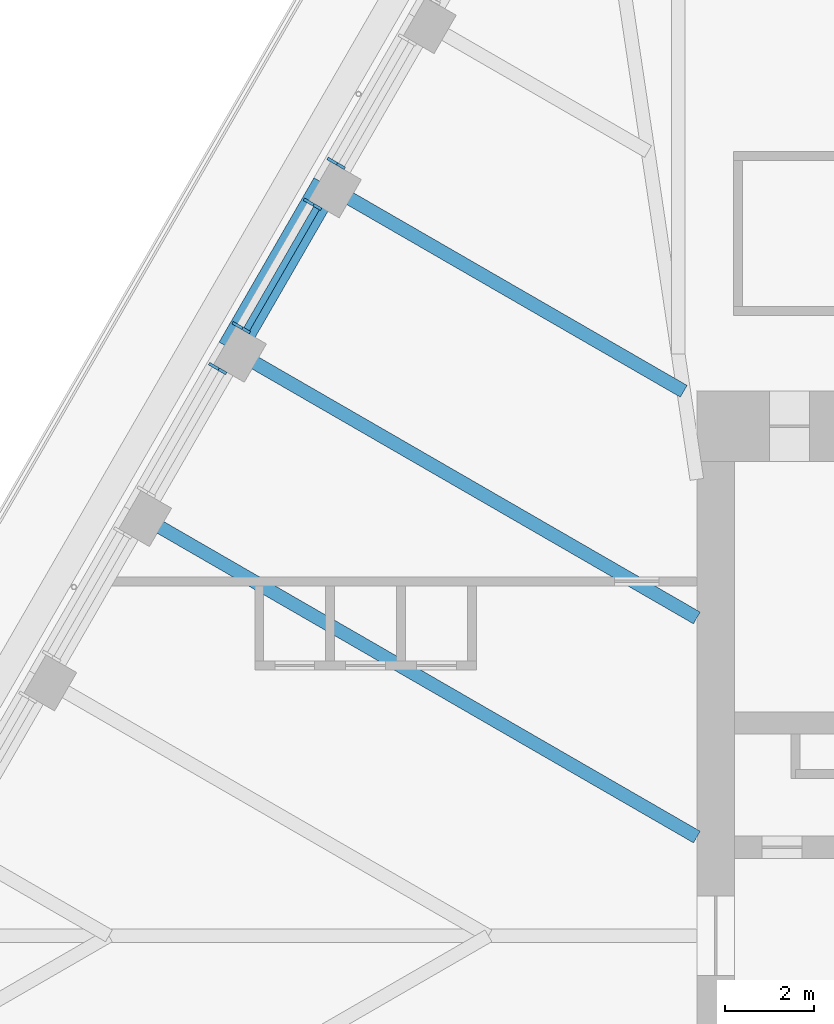
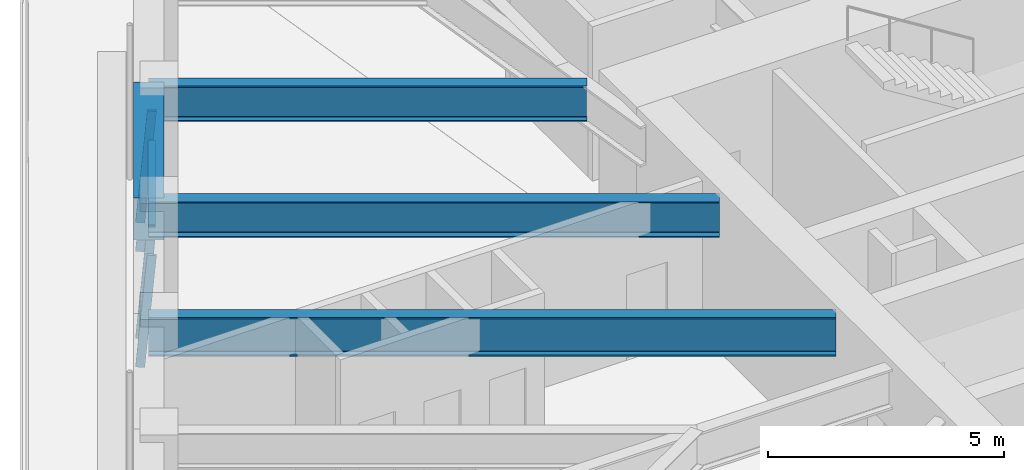
# One storey, part 7 of 19: 5 members, 4 beams, 3 elements without a shape of their own.
"""IFC4 building model written with IfcOpenShell, lengths in metres."""

from ifc_helpers import new_model, si_unit, direction, frame, origin, origin_2d, place, context, subcontext, project, spatial, rectangle, i_section, extrude, material, material_profile, profile_set, type_object, element, aggregate, save


model = new_model("IFC4")

# Units and contexts
model_context = context("Model", 3, precision=1e-05, world=origin(), true_north=direction((0.0, 1.0)))
body_context = subcontext(model_context, "Body", "Model", "MODEL_VIEW")
ifc_project = project(units=[si_unit("LENGTHUNIT", "METRE"), si_unit("AREAUNIT", "SQUARE_METRE"), si_unit("VOLUMEUNIT", "CUBIC_METRE"), si_unit("PLANEANGLEUNIT", "RADIAN"), si_unit("MASSUNIT", "GRAM", prefix="KILO")], contexts=[model_context])

# Site, building, storey
site_placement = place(None, origin())
site = spatial("IfcSite", under=ifc_project, at=site_placement, CompositionType="ELEMENT")
building_placement = place(site_placement, origin())
building = spatial("IfcBuilding", under=site, at=building_placement, Name="Tarfa Lantern Tower", CompositionType="ELEMENT")
storey_placement = place(building_placement, frame((0.0, 0.0, 349.300048828125)))
storey = spatial("IfcBuildingStorey", under=building, at=storey_placement, Name="L79", CompositionType="ELEMENT", Elevation=349.300048828125)

# Curtain wall, member
ifc_material_1 = material(Name="Aluminium framed curtain wall", Category="aluminium")
curtain_wall_type = type_object("IfcCurtainWallType", Name="CW4 CANTED GLAZING EXECUTIVE ZONE 2900", PredefinedType="USERDEFINED", material=ifc_material_1)
curtain_wall_1_placement = place(storey_placement, origin())
curtain_wall_1 = element("IfcCurtainWall", 1, at=curtain_wall_1_placement, inside=storey, type_object=curtain_wall_type, Name="CW4 NW L79", ObjectType="CURTAIN WALL", PredefinedType="USERDEFINED")
ifc_material_2 = material(Name="Aluminium mullion", Category="aluminium")
ifc_material_profile_1 = material_profile(ifc_material_2, rectangle(XDim=0.06494140625, YDim=0.199951171875, at=origin_2d()), Name="AL MULLION 65x200")
ifc_profile_set_1 = profile_set([ifc_material_profile_1], Name="Aluminium mullion")
member_type_1 = type_object("IfcMemberType", Name="CWM1 MULLION 65x200", PredefinedType="MULLION", material=ifc_profile_set_1)
member_1_placement = place(storey_placement, frame((-20.67236328125, 17.494384765625, 0.0), z_axis=(0.074399820079, -0.042945555672, 0.996303340364), x_axis=(0.499919672301, 0.866071776036, 0.0)))
member_1 = element("IfcMember", 2, at=member_1_placement, type_object=member_type_1, Name="CW4 mullion 2", PredefinedType="MULLION", context=body_context, shape_type="SweptSolid", body=[
    extrude(rectangle(XDim=0.06494140625, YDim=0.199951171875, at=origin_2d()), origin(), (0.0, 0.0, 1.0), 2.91064453125),
])
aggregate(curtain_wall_1, [member_1])

# Curtain wall, members
curtain_wall_2_placement = place(storey_placement, origin())
curtain_wall_2 = element("IfcCurtainWall", 3, at=curtain_wall_2_placement, inside=storey, type_object=curtain_wall_type, Name="CW4 NW L79", ObjectType="CURTAIN WALL", PredefinedType="USERDEFINED")
member_2_placement = place(storey_placement, frame((-21.204833984375, 16.572265625, 0.0), z_axis=(0.074399820079, -0.042945555672, 0.996303340364), x_axis=(0.499919672301, 0.866071776036, 0.0)))
member_2 = element("IfcMember", 4, at=member_2_placement, type_object=member_type_1, Name="CW4 mullion 1", PredefinedType="MULLION", context=body_context, shape_type="SweptSolid", body=[
    extrude(rectangle(XDim=0.06494140625, YDim=0.199951171875, at=origin_2d()), origin(), (0.0, 0.0, 1.0), 2.91064453125),
])
member_3_placement = place(storey_placement, frame((-22.813232421875, 13.7861328125, 0.0), z_axis=(0.074316405553, -0.042945823525, 0.996309554359), x_axis=(0.500342721131, 0.865827443207, 0.0)))
member_3 = element("IfcMember", 5, at=member_3_placement, type_object=member_type_1, Name="CW4 mullion 2", PredefinedType="MULLION", context=body_context, shape_type="SweptSolid", body=[
    extrude(rectangle(XDim=0.06494140625, YDim=0.199951171875, at=origin_2d()), origin(), (0.0, 0.0, 1.0), 2.91064453125),
])

# Curtain wall, member
curtain_wall_3_placement = place(storey_placement, origin())
curtain_wall_3 = element("IfcCurtainWall", 6, at=curtain_wall_3_placement, inside=storey, type_object=curtain_wall_type, Name="CW4 NW L79", ObjectType="CURTAIN WALL", PredefinedType="USERDEFINED")
member_4_placement = place(storey_placement, frame((-23.345947265625, 12.86376953125, 0.0), z_axis=(0.074399820079, -0.042945555672, 0.996303340364), x_axis=(0.499919672301, 0.866071776036, 0.0)))
member_4 = element("IfcMember", 7, at=member_4_placement, type_object=member_type_1, Name="CW4 mullion 1", PredefinedType="MULLION", context=body_context, shape_type="SweptSolid", body=[
    extrude(rectangle(XDim=0.06494140625, YDim=0.199951171875, at=origin_2d()), origin(), (0.0, 0.0, 1.0), 2.91064453125),
])
aggregate(curtain_wall_3, [member_4])

# Member
ifc_material_3 = material(Name="Aluminium transom", Category="aluminium")
ifc_material_profile_2 = material_profile(ifc_material_3, rectangle(XDim=0.14990234375, YDim=0.06494140625, at=origin_2d()), Name="AL TRANSOM 150x65")
ifc_profile_set_2 = profile_set([ifc_material_profile_2], Name="Aluminium transom")
member_type_2 = type_object("IfcMemberType", Name="CWT1 TRANSOM 150x65", PredefinedType="USERDEFINED", material=ifc_profile_set_2)
member_5_placement = place(storey_placement, frame((-21.007080078125, 16.42041015625, 2.867431640625), z_axis=(-0.499979472441, -0.866037255052, 0.0), x_axis=(0.866037255052, -0.499979472441, 0.0)))
member_5 = element("IfcMember", 8, at=member_5_placement, type_object=member_type_2, Name="CW4 transom 1.2", ObjectType="TRANSOM", PredefinedType="USERDEFINED", context=body_context, shape_type="SweptSolid", body=[
    extrude(rectangle(XDim=0.14990234375, YDim=0.06494140625, at=origin_2d()), origin(), (0.0, 0.0, 1.0), 3.152099609375),
])

aggregate(curtain_wall_2, [member_2, member_3, member_5])

# Beams
ifc_material_4 = material(Name="Concrete C80/95", Category="concrete")
ifc_material_profile_3 = material_profile(ifc_material_4, rectangle(XDim=0.64990234375, YDim=1.10009765625, at=origin_2d()), Name="RC 650x1100")
ifc_profile_set_3 = profile_set([ifc_material_profile_3], Name="Concrete C80/95")
beam_type_1 = type_object("IfcBeamType", Name="EB4 RC 650x1100", PredefinedType="SPANDREL", material=ifc_profile_set_3)
beam_1_placement = place(storey_placement, frame((-20.78271484375, 16.943359375, 3.449951171875), z_axis=(-0.499984039138, -0.866034618596, 0.0), x_axis=(0.866034618596, -0.499984039138, 0.0)))
element("IfcBeam", 9, at=beam_1_placement, inside=storey, type_object=beam_type_1, Name="Edge beam NW2", PredefinedType="SPANDREL", context=body_context, shape_type="SweptSolid", body=[
    extrude(rectangle(XDim=0.64990234375, YDim=1.10009765625, at=origin_2d()), origin(), (0.0, 0.0, 1.0), 4.281982421875),
])
ifc_material_5 = material(Name="Steel S460M", Category="steel")
ifc_material_profile_4 = material_profile(ifc_material_5, i_section(OverallWidth=0.302001953125, OverallDepth=1.008056640625, WebThickness=0.02099609375, FlangeThickness=0.0400390625, FilletRadius=0.030029296875, at=origin_2d()), Name="UB1016x305x349")
ifc_profile_set_4 = profile_set([ifc_material_profile_4], Name="Steel S460M")
beam_type_2 = type_object("IfcBeamType", Name="UB1016x305x349", PredefinedType="BEAM", material=ifc_profile_set_4)
beam_2_placement = place(storey_placement, frame((-25.064697265625, 9.526611328125, 3.495849609375), z_axis=(0.866029591389, -0.499992746786, 0.0), x_axis=(0.499992746786, 0.866029591389, 0.0)))
element("IfcBeam", 10, at=beam_2_placement, inside=storey, type_object=beam_type_2, Name="Floor beam NW4", PredefinedType="BEAM", context=body_context, shape_type="SweptSolid", body=[
    extrude(i_section(OverallWidth=0.302001953125, OverallDepth=1.008056640625, WebThickness=0.02099609375, FlangeThickness=0.0400390625, FilletRadius=0.030029296875, at=origin_2d()), origin(), (0.0, 0.0, 1.0), 14.594970703125),
])
ifc_material_profile_5 = material_profile(ifc_material_5, i_section(OverallWidth=0.305419921875, OverallDepth=0.91845703125, WebThickness=0.017333984375, FlangeThickness=0.02783203125, FilletRadius=0.01904296875, at=origin_2d()), Name="UB914x305x253")
ifc_profile_set_5 = profile_set([ifc_material_profile_5], Name="Steel S460M")
beam_type_3 = type_object("IfcBeamType", Name="UB914x305x253", PredefinedType="BEAM", material=ifc_profile_set_5)
beam_3_placement = place(storey_placement, frame((-20.78271484375, 16.943359375, 3.540771484375), z_axis=(0.866021806508, -0.500006230613, 0.0), x_axis=(0.500006230613, 0.866021806508, 0.0)))
element("IfcBeam", 11, at=beam_3_placement, inside=storey, type_object=beam_type_3, Name="Floor beam NW2", PredefinedType="BEAM", context=body_context, shape_type="SweptSolid", body=[
    extrude(i_section(OverallWidth=0.305419921875, OverallDepth=0.91845703125, WebThickness=0.017333984375, FlangeThickness=0.02783203125, FilletRadius=0.01904296875, at=origin_2d()), origin(), (0.0, 0.0, 1.0), 9.30908203125),
])
beam_4_placement = place(storey_placement, frame((-22.923583984375, 13.235107421875, 3.540771484375), z_axis=(0.86601856927, -0.500011837539, 0.0), x_axis=(0.500011837539, 0.86601856927, 0.0)))
element("IfcBeam", 12, at=beam_4_placement, inside=storey, type_object=beam_type_3, Name="Floor beam NW3", PredefinedType="BEAM", context=body_context, shape_type="SweptSolid", body=[
    extrude(i_section(OverallWidth=0.305419921875, OverallDepth=0.91845703125, WebThickness=0.017333984375, FlangeThickness=0.02783203125, FilletRadius=0.01904296875, at=origin_2d()), origin(), (0.0, 0.0, 1.0), 12.122802734375),
])

save(model, "model.ifc")
